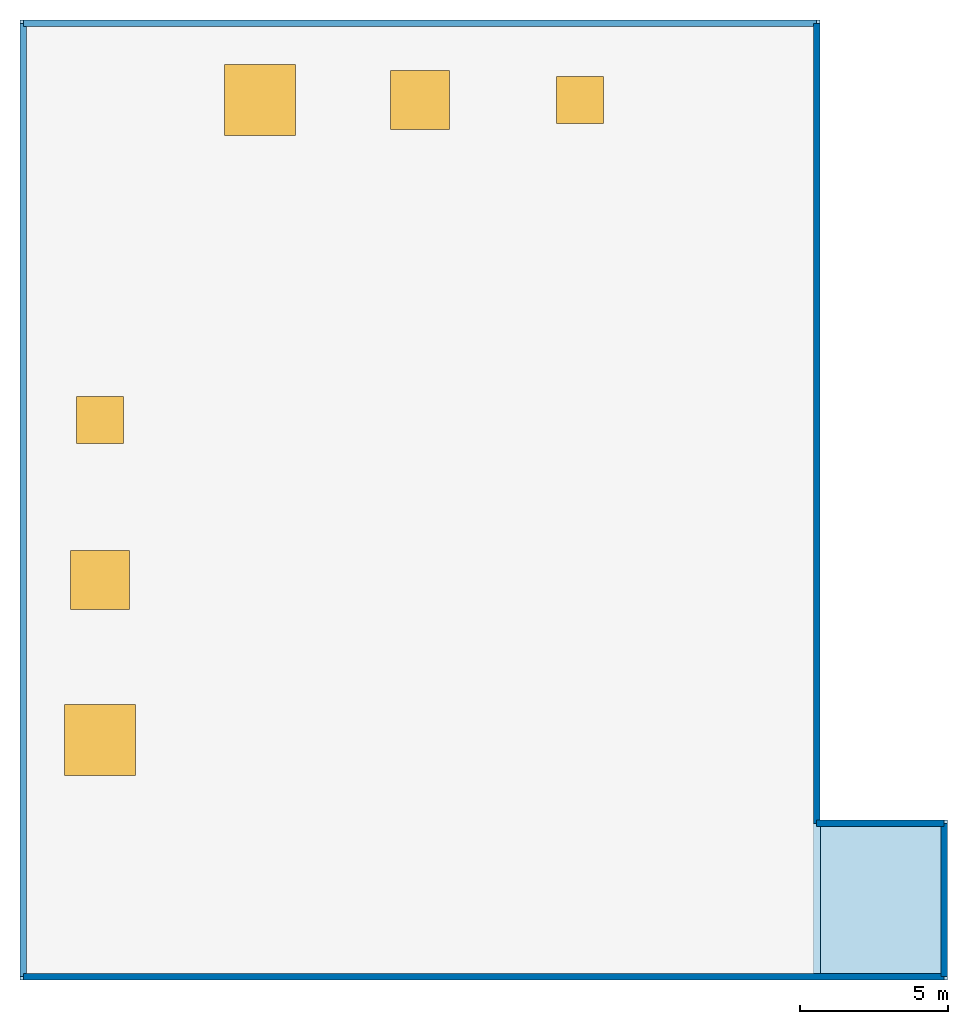
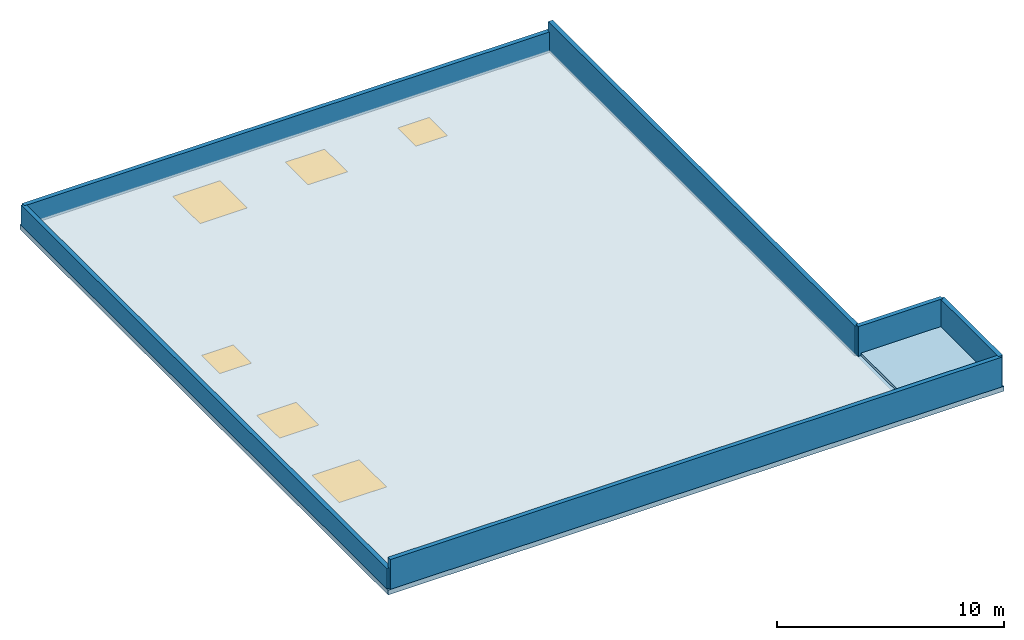
"""IFC4 building model written with IfcOpenShell, lengths in metres."""

from ifc_helpers import new_model, si_unit, direction, frame, frame_2d, origin, origin_2d, place, context, subcontext, project, spatial, polyline, rectangle, outline, extrude, material, layer, layer_set, type_object, element, fill, save


model = new_model("IFC4")

# Units and contexts
model_context = context("Model", 3, precision=1e-05, world=origin(), true_north=direction((0.0, 1.0)))
body_context = subcontext(model_context, "Body", "Model", "MODEL_VIEW")
ifc_project = project(units=[si_unit("LENGTHUNIT", "METRE"), si_unit("AREAUNIT", "SQUARE_METRE"), si_unit("VOLUMEUNIT", "CUBIC_METRE"), si_unit("PLANEANGLEUNIT", "RADIAN"), si_unit("MASSUNIT", "GRAM", prefix="KILO")], contexts=[model_context])

# Site, building, storey
site_placement = place(None, origin())
site = spatial("IfcSite", under=ifc_project, at=site_placement, CompositionType="ELEMENT")
building_placement = place(site_placement, origin())
building = spatial("IfcBuilding", under=site, at=building_placement, Name="Surkhivell Harbour Commons", CompositionType="ELEMENT")
storey_1_placement = place(building_placement, frame((0.0, 0.0, 364.5)))
storey_1 = spatial("IfcBuildingStorey", under=building, at=storey_1_placement, Name="RF", CompositionType="ELEMENT", Elevation=364.5)

# Slab, openings
ifc_material_1 = material(Name="Concrete C50/60", Category="concrete")
ifc_layer_1 = layer(ifc_material_1, 0.260009765625)
ifc_layer_set_1 = layer_set([ifc_layer_1], Name="Concrete C50/60")
slab_type = type_object("IfcSlabType", Name="SLB-ROOF-260", PredefinedType="ROOF", material=ifc_layer_set_1)
slab_placement = place(storey_1_placement, frame((0.0, 0.0, -0.260009765625)))
slab = element("IfcSlab", 1, at=slab_placement, inside=storey_1, type_object=slab_type, Name="RF Crown Roof Slab", PredefinedType="ROOF", context=body_context, shape_type="SweptSolid", body=[
    extrude(outline(polyline([(10.800048828125, -16.199951171875), (15.10009765625, -16.199951171875), (15.10009765625, -10.800048828125), (10.800048828125, -10.800048828125), (10.800048828125, 16.199951171875), (-16.199951171875, 16.199951171875), (-16.199951171875, -16.199951171875), (10.800048828125, -16.199951171875)])), origin(), (0.0, 0.0, 1.0), 0.260009765625),
])
opening_1_placement = place(slab_placement, frame((-13.5, -8.10009765625, 0.0)))
opening_1 = element("IfcOpeningElement", 2, at=opening_1_placement, cuts=slab, Name="Opening SK-01", PredefinedType="OPENING", context=body_context, shape_type="SweptSolid", body=[
    extrude(rectangle(XDim=2.39990234375, YDim=2.39990234375, at=origin_2d()), origin(), (0.0, 0.0, 1.0), 0.260009765625),
])
opening_2_placement = place(slab_placement, frame((-13.5, -2.699951171875, 0.0)))
opening_2 = element("IfcOpeningElement", 3, at=opening_2_placement, cuts=slab, Name="Opening SK-02", PredefinedType="OPENING", context=body_context, shape_type="SweptSolid", body=[
    extrude(rectangle(XDim=2.0, YDim=2.0, at=origin_2d()), origin(), (0.0, 0.0, 1.0), 0.260009765625),
])
opening_3_placement = place(slab_placement, frame((-13.5, 2.699951171875, 0.0)))
opening_3 = element("IfcOpeningElement", 4, at=opening_3_placement, cuts=slab, Name="Opening SK-03", PredefinedType="OPENING", context=body_context, shape_type="SweptSolid", body=[
    extrude(rectangle(XDim=1.60009765625, YDim=1.60009765625, at=origin_2d()), origin(), (0.0, 0.0, 1.0), 0.260009765625),
])
opening_4_placement = place(slab_placement, frame((-8.10009765625, 13.5, 0.0)))
opening_4 = element("IfcOpeningElement", 5, at=opening_4_placement, cuts=slab, Name="Opening SK-01", PredefinedType="OPENING", context=body_context, shape_type="SweptSolid", body=[
    extrude(rectangle(XDim=2.39990234375, YDim=2.39990234375, at=origin_2d()), origin(), (0.0, 0.0, 1.0), 0.260009765625),
])
opening_5_placement = place(slab_placement, frame((-2.699951171875, 13.5, 0.0)))
opening_5 = element("IfcOpeningElement", 6, at=opening_5_placement, cuts=slab, Name="Opening SK-02", PredefinedType="OPENING", context=body_context, shape_type="SweptSolid", body=[
    extrude(rectangle(XDim=2.0, YDim=2.0, at=origin_2d()), origin(), (0.0, 0.0, 1.0), 0.260009765625),
])
opening_6_placement = place(slab_placement, frame((2.699951171875, 13.5, 0.0)))
opening_6 = element("IfcOpeningElement", 7, at=opening_6_placement, cuts=slab, Name="Opening SK-03", PredefinedType="OPENING", context=body_context, shape_type="SweptSolid", body=[
    extrude(rectangle(XDim=1.60009765625, YDim=1.60009765625, at=origin_2d()), origin(), (0.0, 0.0, 1.0), 0.260009765625),
])

# Storey
storey_2_placement = place(building_placement, frame((0.0, 0.0, 360.0)))
storey_2 = spatial("IfcBuildingStorey", under=building, at=storey_2_placement, Name="L93", CompositionType="ELEMENT", Elevation=360.0)

# Window
ifc_material_2 = material(Name="Thermal-break aluminium frame and double low-E glazing", Category="aluminium")
window_type_1 = type_object("IfcWindowType", Name="WIN-SKY-1600x1600", PartitioningType="SINGLE_PANEL", PredefinedType="SKYLIGHT", material=ifc_material_2)
window_1_placement = place(opening_3_placement, frame((0.0, 0.0, 0.2099609375)))
window_1 = element("IfcWindow", 8, at=window_1_placement, inside=storey_2, type_object=window_type_1, Name="RF Crown Conservatory Skylight SK-03", OverallHeight=1.60009765625, OverallWidth=1.60009765625, PartitioningType="SINGLE_PANEL", PredefinedType="SKYLIGHT", context=body_context, shape_type="SweptSolid", body=[
    extrude(rectangle(XDim=1.60009765625, YDim=1.60009765625, at=origin_2d()), origin(), (0.0, 0.0, 1.0), 0.050048828125),
])

fill(opening_3, window_1)

window_2_placement = place(opening_6_placement, frame((0.0, 0.0, 0.2099609375)))
window_2 = element("IfcWindow", 9, at=window_2_placement, inside=storey_2, type_object=window_type_1, Name="RF Crown Conservatory Skylight SK-06", OverallHeight=1.60009765625, OverallWidth=1.60009765625, PartitioningType="SINGLE_PANEL", PredefinedType="SKYLIGHT", context=body_context, shape_type="SweptSolid", body=[
    extrude(rectangle(XDim=1.60009765625, YDim=1.60009765625, at=origin_2d()), origin(), (0.0, 0.0, 1.0), 0.050048828125),
])

fill(opening_6, window_2)

window_type_2 = type_object("IfcWindowType", Name="WIN-SKY-2000x2000", PartitioningType="SINGLE_PANEL", PredefinedType="SKYLIGHT", material=ifc_material_2)
window_3_placement = place(opening_2_placement, frame((0.0, 0.0, 0.2099609375)))
window_3 = element("IfcWindow", 10, at=window_3_placement, inside=storey_2, type_object=window_type_2, Name="RF Crown Conservatory Skylight SK-02", OverallHeight=2.0, OverallWidth=2.0, PartitioningType="SINGLE_PANEL", PredefinedType="SKYLIGHT", context=body_context, shape_type="SweptSolid", body=[
    extrude(rectangle(XDim=2.0, YDim=2.0, at=origin_2d()), origin(), (0.0, 0.0, 1.0), 0.050048828125),
])

fill(opening_2, window_3)

window_4_placement = place(opening_5_placement, frame((0.0, 0.0, 0.2099609375)))
window_4 = element("IfcWindow", 11, at=window_4_placement, inside=storey_2, type_object=window_type_2, Name="RF Crown Conservatory Skylight SK-05", OverallHeight=2.0, OverallWidth=2.0, PartitioningType="SINGLE_PANEL", PredefinedType="SKYLIGHT", context=body_context, shape_type="SweptSolid", body=[
    extrude(rectangle(XDim=2.0, YDim=2.0, at=origin_2d()), origin(), (0.0, 0.0, 1.0), 0.050048828125),
])

fill(opening_5, window_4)

window_type_3 = type_object("IfcWindowType", Name="WIN-SKY-2400x2400", PartitioningType="SINGLE_PANEL", PredefinedType="SKYLIGHT", material=ifc_material_2)
window_5_placement = place(opening_1_placement, frame((0.0, 0.0, 0.2099609375)))
window_5 = element("IfcWindow", 12, at=window_5_placement, inside=storey_2, type_object=window_type_3, Name="RF Crown Conservatory Skylight SK-01", OverallHeight=2.39990234375, OverallWidth=2.39990234375, PartitioningType="SINGLE_PANEL", PredefinedType="SKYLIGHT", context=body_context, shape_type="SweptSolid", body=[
    extrude(rectangle(XDim=2.39990234375, YDim=2.39990234375, at=origin_2d()), origin(), (0.0, 0.0, 1.0), 0.050048828125),
])

fill(opening_1, window_5)

window_6_placement = place(opening_4_placement, frame((0.0, 0.0, 0.2099609375)))
window_6 = element("IfcWindow", 13, at=window_6_placement, inside=storey_2, type_object=window_type_3, Name="RF Crown Conservatory Skylight SK-04", OverallHeight=2.39990234375, OverallWidth=2.39990234375, PartitioningType="SINGLE_PANEL", PredefinedType="SKYLIGHT", context=body_context, shape_type="SweptSolid", body=[
    extrude(rectangle(XDim=2.39990234375, YDim=2.39990234375, at=origin_2d()), origin(), (0.0, 0.0, 1.0), 0.050048828125),
])

fill(opening_4, window_6)

# Walls
ifc_material_3 = material(Name="Pale-metal capped reinforced concrete C45/55", Category="concrete")
ifc_layer_2 = layer(ifc_material_3, 0.219970703125)
ifc_layer_set_2 = layer_set([ifc_layer_2], Name="Pale-metal capped reinforced concrete C45/55")
wall_type = type_object("IfcWallType", Name="WAL-PAR-220", PredefinedType="PARAPET", material=ifc_layer_set_2)
wall_1_placement = place(storey_1_placement, frame((14.989990234375, -16.090087890625, 0.0), z_axis=(0.0, 0.0, 1.0), x_axis=(0.0, 1.0, 0.0)))
element("IfcWall", 14, at=wall_1_placement, inside=storey_1, type_object=wall_type, Name="RF Pale-Metal Crown Parapet 1", PredefinedType="PARAPET", context=body_context, shape_type="SweptSolid", body=[
    extrude(rectangle(XDim=5.18017578125, YDim=0.219970703125, at=frame_2d((2.590087890625, 0.0))), origin(), (0.0, 0.0, 1.0), 1.60009765625),
])
wall_2_placement = place(storey_1_placement, frame((14.989990234375, -10.909912109375, 0.0), z_axis=(0.0, 0.0, 1.0), x_axis=(-1.0, 0.0, 0.0)))
element("IfcWall", 15, at=wall_2_placement, inside=storey_1, type_object=wall_type, Name="RF Pale-Metal Crown Parapet 2", PredefinedType="PARAPET", context=body_context, shape_type="SweptSolid", body=[
    extrude(rectangle(XDim=4.300048828125, YDim=0.219970703125, at=frame_2d((2.14990234375, 0.0))), origin(), (0.0, 0.0, 1.0), 1.60009765625),
])
wall_3_placement = place(storey_1_placement, frame((10.68994140625, -10.909912109375, 0.0), z_axis=(0.0, 0.0, 1.0), x_axis=(0.0, 1.0, 0.0)))
element("IfcWall", 16, at=wall_3_placement, inside=storey_1, type_object=wall_type, Name="RF Pale-Metal Crown Parapet 3", PredefinedType="PARAPET", context=body_context, shape_type="SweptSolid", body=[
    extrude(rectangle(XDim=27.0, YDim=0.219970703125, at=frame_2d((13.5, 0.0))), origin(), (0.0, 0.0, 1.0), 1.60009765625),
])
wall_4_placement = place(storey_1_placement, frame((10.68994140625, 16.090087890625, 0.0), z_axis=(0.0, 0.0, 1.0), x_axis=(-1.0, 0.0, 0.0)))
element("IfcWall", 17, at=wall_4_placement, inside=storey_1, type_object=wall_type, Name="RF Pale-Metal Crown Parapet 4", PredefinedType="PARAPET", context=body_context, shape_type="SweptSolid", body=[
    extrude(rectangle(XDim=26.780029296875, YDim=0.219970703125, at=frame_2d((13.39013671875, 0.0))), origin(), (0.0, 0.0, 1.0), 1.10009765625),
])
wall_5_placement = place(storey_1_placement, frame((-16.090087890625, 16.090087890625, 0.0), z_axis=(0.0, 0.0, 1.0), x_axis=(0.0, -1.0, 0.0)))
element("IfcWall", 18, at=wall_5_placement, inside=storey_1, type_object=wall_type, Name="RF Pale-Metal Crown Parapet 5", PredefinedType="PARAPET", context=body_context, shape_type="SweptSolid", body=[
    extrude(rectangle(XDim=32.18017578125, YDim=0.219970703125, at=frame_2d((16.090087890625, 0.0))), origin(), (0.0, 0.0, 1.0), 1.10009765625),
])
wall_6_placement = place(storey_1_placement, frame((-16.090087890625, -16.090087890625, 0.0), z_axis=(0.0, 0.0, 1.0), x_axis=(1.0, 0.0, 0.0)))
element("IfcWall", 19, at=wall_6_placement, inside=storey_1, type_object=wall_type, Name="RF Pale-Metal Crown Parapet 6", PredefinedType="PARAPET", context=body_context, shape_type="SweptSolid", body=[
    extrude(rectangle(XDim=31.080078125, YDim=0.219970703125, at=frame_2d((15.5400390625, 0.0))), origin(), (0.0, 0.0, 1.0), 1.60009765625),
])

# Roof
ifc_material_4 = material(Name="Vermilion-coral and saffron enamelled aluminium box roof cap", Category="aluminium")
ifc_layer_3 = layer(ifc_material_4, 0.139892578125)
ifc_layer_set_3 = layer_set([ifc_layer_3], Name="Vermilion-coral and saffron enamelled aluminium box roof cap")
roof_type = type_object("IfcRoofType", Name="ROF-BOX-CAP", PredefinedType="FLAT_ROOF", material=ifc_layer_set_3)
roof_placement = place(storey_1_placement, origin())
element("IfcRoof", 20, at=roof_placement, inside=storey_1, type_object=roof_type, Name="RF South-East Street-Corner Box Roof Cap", PredefinedType="FLAT_ROOF", context=body_context, shape_type="SweptSolid", body=[
    extrude(outline(polyline([(10.820068359375, -16.0), (14.949951171875, -16.0), (14.949951171875, -11.0), (10.820068359375, -11.0), (10.820068359375, -16.0)])), origin(), (0.0, 0.0, 1.0), 0.139892578125),
])

save(model, "model.ifc")
